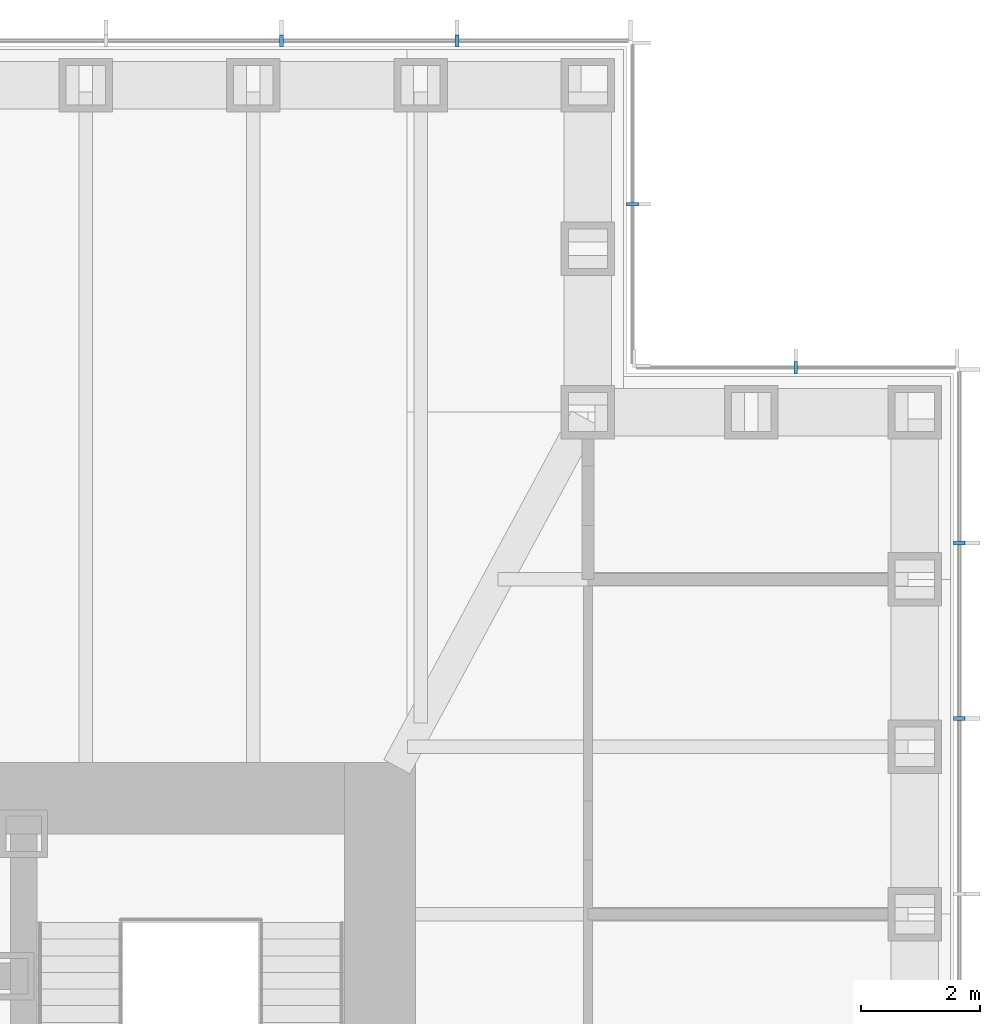
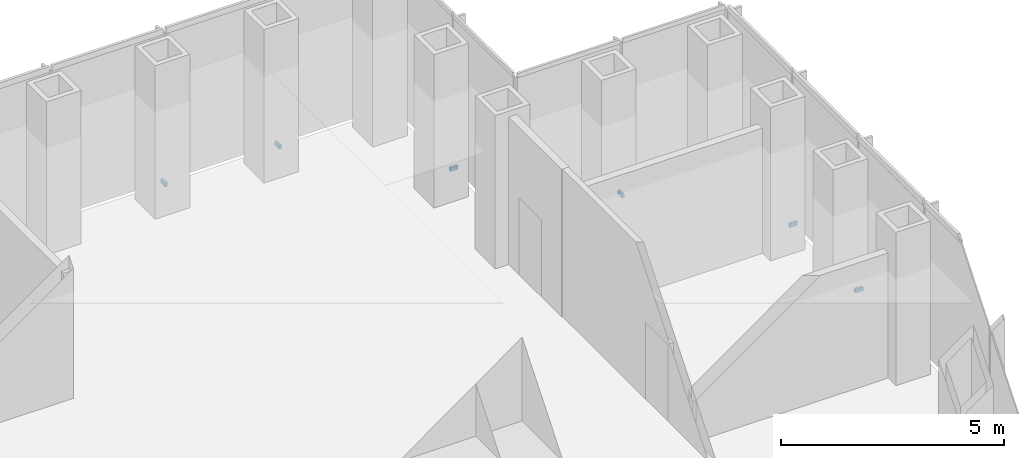
# One storey, part 15 of 16: 6 discrete accessories.
"""IFC4 building model written with IfcOpenShell, lengths in metres."""

from ifc_helpers import new_model, si_unit, direction, frame, origin, origin_2d, place, context, subcontext, project, spatial, rectangle, extrude, element, save


model = new_model("IFC4")

# Units and contexts
model_context = context("Model", 3, precision=1e-05, world=origin(), true_north=direction((0.0, 1.0)))
body_context = subcontext(model_context, "Body", "Model", "MODEL_VIEW")
ifc_project = project(units=[si_unit("LENGTHUNIT", "METRE"), si_unit("AREAUNIT", "SQUARE_METRE"), si_unit("VOLUMEUNIT", "CUBIC_METRE"), si_unit("PLANEANGLEUNIT", "RADIAN"), si_unit("MASSUNIT", "GRAM", prefix="KILO")], contexts=[model_context])

# Site, building, storey
site_placement = place(None, origin())
site = spatial("IfcSite", under=ifc_project, at=site_placement, CompositionType="ELEMENT")
building_placement = place(site_placement, origin())
building = spatial("IfcBuilding", under=site, at=building_placement, Name="Daluyong Arena Tower", CompositionType="ELEMENT")
storey_placement = place(building_placement, frame((0.0, 0.0, 202.300048828125)))
storey = spatial("IfcBuildingStorey", under=building, at=storey_placement, Name="L45", CompositionType="ELEMENT", Elevation=202.300048828125)

# Discrete accessories
for number, where, z_axis, x_axis, name in (
    (1, (77.75, 90.3408203125, -0.10009765625), (0.0, 0.0, 1.0), (0.0, 1.0, 0.0), "curtain wall L45 E anchor bracket 10"),
    (2, (77.75, 93.29541015625, -0.10009765625), (0.0, 0.0, 1.0), (0.0, 1.0, 0.0), "curtain wall L45 E anchor bracket 11"),
):
    element("IfcDiscreteAccessory", number, at=place(storey_placement, frame(where, z_axis=z_axis, x_axis=x_axis)), inside=storey, Name=name, PredefinedType="BRACKET", context=body_context, shape_type="SweptSolid", body=[
        extrude(rectangle(XDim=0.070068359375, YDim=0.199951171875, at=origin_2d()), origin(), (0.0, 0.0, 1.0), 0.10009765625),
    ])
for number, where, z_axis, x_axis, name in (
    (3, (75.0, 96.25, -0.10009765625), (0.0, 0.0, 1.0), (-1.0, 0.0, 0.0), "curtain wall L45 NE-N anchor bracket 2"),
    (4, (72.25, 99.0, -0.10009765625), (0.0, 0.0, 1.0), (0.0, 1.0, 0.0), "curtain wall L45 NE-E anchor bracket 2"),
):
    element("IfcDiscreteAccessory", number, at=place(storey_placement, frame(where, z_axis=z_axis, x_axis=x_axis)), inside=storey, Name=name, PredefinedType="BRACKET", context=body_context, shape_type="SweptSolid", body=[
        extrude(rectangle(XDim=0.06005859375, YDim=0.199951171875, at=origin_2d()), origin(), (0.0, 0.0, 1.0), 0.10009765625),
    ])
for number, where, z_axis, x_axis, name in (
    (5, (69.29541015625, 101.75, -0.10009765625), (0.0, 0.0, 1.0), (-1.0, 0.0, 0.0), "curtain wall L45 N anchor bracket 2"),
    (6, (66.3408203125, 101.75, -0.10009765625), (0.0, 0.0, 1.0), (-1.0, 0.0, 0.0), "curtain wall L45 N anchor bracket 3"),
):
    element("IfcDiscreteAccessory", number, at=place(storey_placement, frame(where, z_axis=z_axis, x_axis=x_axis)), inside=storey, Name=name, PredefinedType="BRACKET", context=body_context, shape_type="SweptSolid", body=[
        extrude(rectangle(XDim=0.070068359375, YDim=0.199951171875, at=origin_2d()), origin(), (0.0, 0.0, 1.0), 0.10009765625),
    ])

save(model, "model.ifc")
